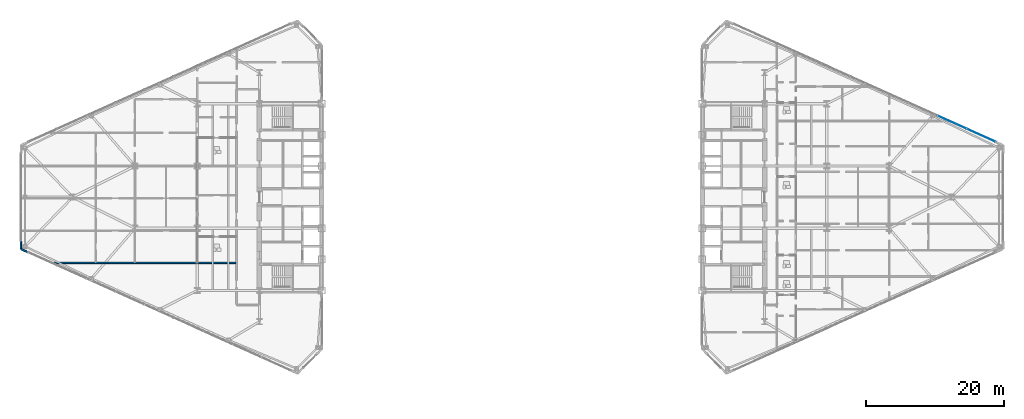
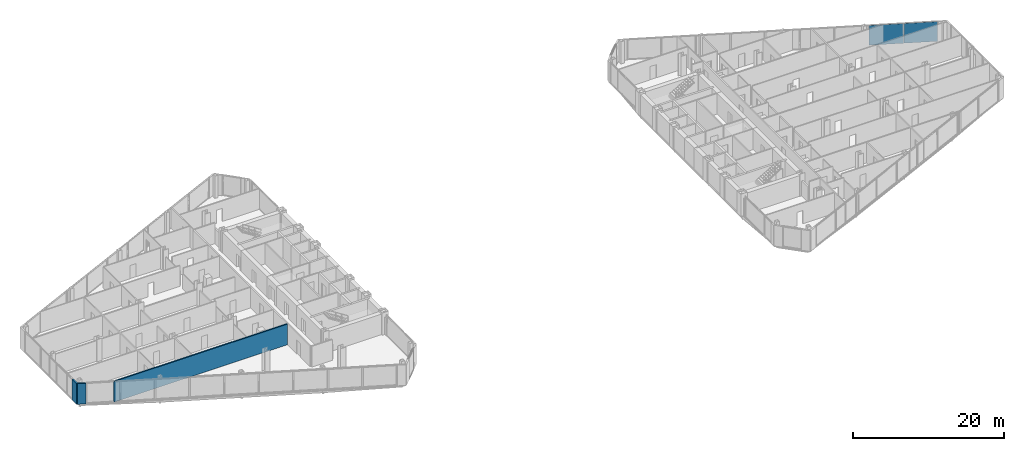
# One storey, part 18 of 27: 3 walls, 2 plates, 1 element without a shape of its own.
"""IFC4 building model written with IfcOpenShell, lengths in metres."""

from ifc_helpers import new_model, si_unit, direction, frame, frame_2d, origin, origin_2d, place, context, subcontext, project, spatial, rectangle, extrude, source, transform, mapped, material, layer, layer_set, type_object, type_shapes, element, aggregate, save


model = new_model("IFC4")

# Units and contexts
model_context = context("Model", 3, precision=1e-05, world=origin(), true_north=direction((0.0, 1.0)))
body_context = subcontext(model_context, "Body", "Model", "MODEL_VIEW")
ifc_project = project(units=[si_unit("LENGTHUNIT", "METRE"), si_unit("AREAUNIT", "SQUARE_METRE"), si_unit("VOLUMEUNIT", "CUBIC_METRE"), si_unit("PLANEANGLEUNIT", "RADIAN"), si_unit("MASSUNIT", "GRAM", prefix="KILO")], contexts=[model_context])

# Site, building, storey
site_placement = place(None, origin())
site = spatial("IfcSite", under=ifc_project, at=site_placement, CompositionType="ELEMENT")
building_placement = place(site_placement, origin())
building = spatial("IfcBuilding", under=site, at=building_placement, Name="Seokmaru Belvedere", CompositionType="ELEMENT")
storey_placement = place(building_placement, frame((0.0, 0.0, 83.699951171875)))
storey = spatial("IfcBuildingStorey", under=building, at=storey_placement, Name="L22", CompositionType="ELEMENT", Elevation=83.699951171875)

# Curtain wall, plates
ifc_material_1 = material(Name="Bronze Triple Insulating Glass", Category="glass")
ifc_layer_1 = layer(ifc_material_1, 0.195068359375)
ifc_layer_set_1 = layer_set([ifc_layer_1], Name="Bronze Triple Insulating Glass")
curtain_wall_type = type_object("IfcCurtainWallType", Name="Lower-Mid Tapered Curtain Wall System CW-3", PredefinedType="NOTDEFINED", material=ifc_layer_set_1)
curtain_wall_placement = place(storey_placement, origin())
curtain_wall = element("IfcCurtainWall", 1, at=curtain_wall_placement, inside=storey, type_object=curtain_wall_type, Name="L22 Curtain Wall EF3", PredefinedType="NOTDEFINED")
ifc_layer_2 = layer(ifc_material_1, 0.035888671875)
ifc_layer_set_2 = layer_set([ifc_layer_2], Name="Bronze Triple Insulating Glass")
plate_type = type_object("IfcPlateType", Name="Bronze Triple Vision Glazing Panel 36", PredefinedType="CURTAIN_PANEL", material=ifc_layer_set_2)
shared_shape_1 = source(origin(), body_context, "Body", "SweptSolid", [
    extrude(rectangle(XDim=4.51318359375, YDim=0.035888671875, at=origin_2d()), origin(), (0.0, 0.0, 1.0), 3.199951171875),
])
plate_1_placement = place(storey_placement, frame((67.82958984375, 8.926513671875, 0.0703125), z_axis=(0.0, 0.0, 1.0), x_axis=(-0.91192111353, 0.41036554765, 0.0)))
plate_1 = element("IfcPlate", 2, at=plate_1_placement, type_object=plate_type, Name="CW:L22:EF3 Glazing Panel 1-1", PredefinedType="CURTAIN_PANEL", context=body_context, shape_type="MappedRepresentation", body=[
    mapped(shared_shape_1, transform((0.0, 0.0, 0.0), scale=1.0)),
])
shared_shape_2 = source(origin(), body_context, "Body", "SweptSolid", [
    extrude(rectangle(XDim=4.548095703125, YDim=0.035888671875, at=origin_2d()), origin(), (0.0, 0.0, 1.0), 3.199951171875),
])
type_shapes(plate_type, [shared_shape_1, shared_shape_2])
plate_2_placement = place(storey_placement, frame((63.63427734375, 10.814697265625, 0.0703125), z_axis=(0.0, 0.0, 1.0), x_axis=(-0.91192111353, 0.41036554765, 0.0)))
plate_2 = element("IfcPlate", 3, at=plate_2_placement, type_object=plate_type, Name="CW:L22:EF3 Glazing Panel 2-1", PredefinedType="CURTAIN_PANEL", context=body_context, shape_type="MappedRepresentation", body=[
    mapped(shared_shape_2, transform((0.0, 0.0, 0.0), scale=1.0)),
])
aggregate(curtain_wall, [plate_1, plate_2])

# Walls
ifc_material_2 = material(Name="Fire-Rated Gypsum Shaftwall")
ifc_layer_3 = layer(ifc_material_2, 0.199951171875)
ifc_layer_set_3 = layer_set([ifc_layer_3], Name="Fire-Rated Gypsum Shaftwall")
wall_type_1 = type_object("IfcWallType", Name="Inter-Tenancy Fire Compartment Partition 200", PredefinedType="PARTITIONING", material=ifc_layer_set_3)
wall_placement = place(storey_placement, frame((-66.568115234375, -9.5, 0.0), z_axis=(0.0, 0.0, 1.0), x_axis=(1.0, 0.0, 0.0)))
element("IfcWall", 4, at=wall_placement, inside=storey, type_object=wall_type_1, Name="L22 Interior Partition 008", PredefinedType="PARTITIONING", context=body_context, shape_type="SweptSolid", body=[
    extrude(rectangle(XDim=26.63818359375, YDim=0.199951171875, at=frame_2d((13.319091796875, 0.0))), origin(), (0.0, 0.0, 1.0), 3.340087890625),
])
ifc_material_3 = material(Name="Anodised Bronze Aluminium", Category="aluminium")
ifc_layer_4 = layer(ifc_material_3, 0.239990234375)
ifc_layer_set_4 = layer_set([ifc_layer_4], Name="Anodised Bronze Aluminium")
wall_type_2 = type_object("IfcWallType", Name="Tower Corner Spandrel Closure Wall 240", PredefinedType="SOLIDWALL", material=ifc_layer_set_4)
for number, where, z_axis, x_axis, name in (
    (5, (-71.0, -6.35009765625, 0.0), (0.0, 0.0, 1.0), (0.0, -1.0, 0.0), "L22 W Corner Closure Pier 4B"),
    (6, (-70.990966796875, -7.504150390625, 0.0), (0.0, 0.0, 1.0), (0.911929519623, -0.410346866979, 0.0), "L22 W Corner Closure Pier 5A"),
):
    element("IfcWall", number, at=place(storey_placement, frame(where, z_axis=z_axis, x_axis=x_axis)), inside=storey, type_object=wall_type_2, Name=name, PredefinedType="SOLIDWALL", context=body_context, shape_type="SweptSolid", body=[
        extrude(rectangle(XDim=1.139892578125, YDim=0.239990234375, at=frame_2d((0.56982421875, 0.0))), origin(), (0.0, 0.0, 1.0), 3.340087890625),
    ])

save(model, "model.ifc")
